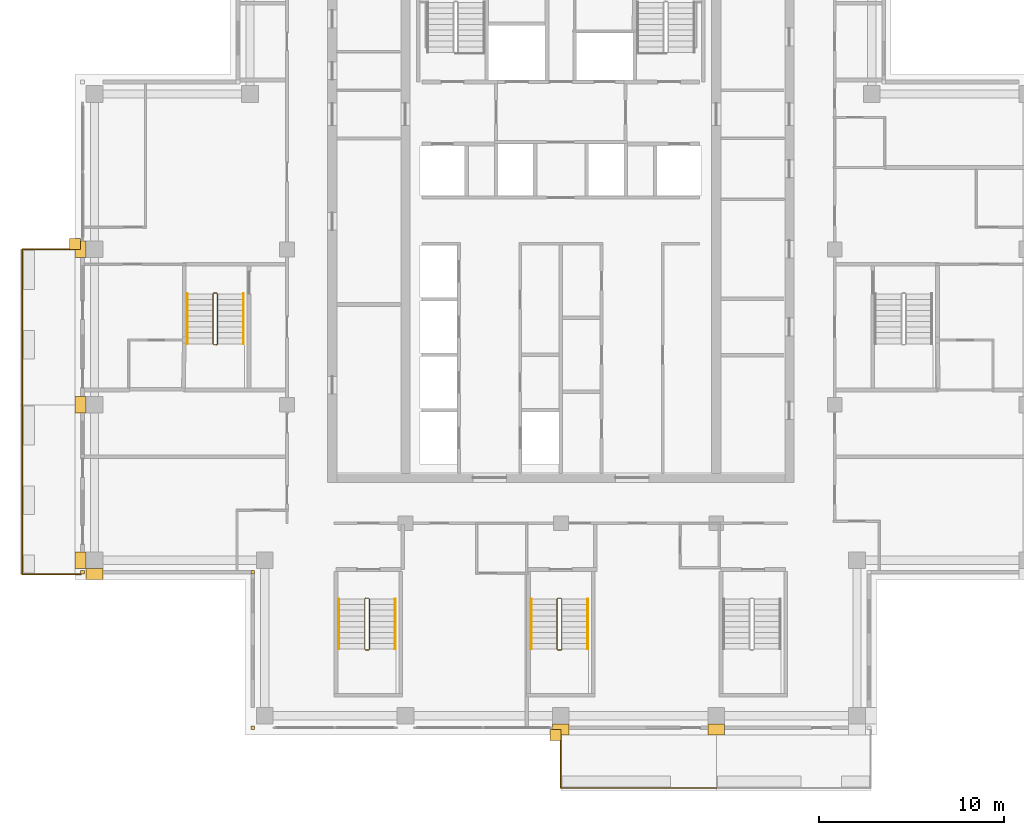
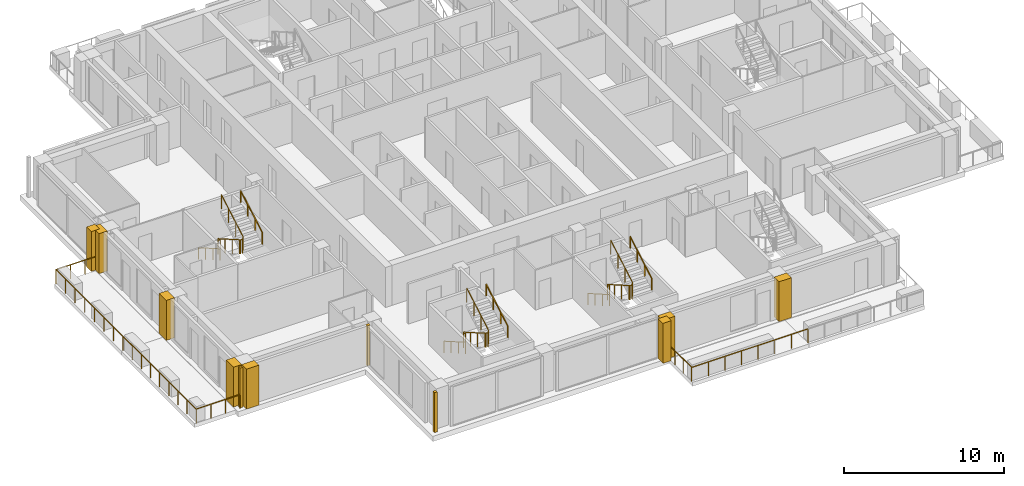
# One storey, part 15 of 17: 12 railings, 11 coverings.
"""IFC4 building model written with IfcOpenShell, lengths in metres."""

from ifc_helpers import new_model, si_unit, direction, frame, origin, origin_2d, place, context, subcontext, project, spatial, polyline, rectangle, outline, extrude, material, type_object, element, save


model = new_model("IFC4")

# Units and contexts
model_context = context("Model", 3, precision=1e-05, world=origin(), true_north=direction((0.0, 1.0)))
body_context = subcontext(model_context, "Body", "Model", "MODEL_VIEW")
ifc_project = project(units=[si_unit("LENGTHUNIT", "METRE"), si_unit("AREAUNIT", "SQUARE_METRE"), si_unit("VOLUMEUNIT", "CUBIC_METRE"), si_unit("PLANEANGLEUNIT", "RADIAN"), si_unit("MASSUNIT", "GRAM", prefix="KILO")], contexts=[model_context])

# Site, building, storey
site_placement = place(None, origin())
site = spatial("IfcSite", under=ifc_project, at=site_placement, CompositionType="ELEMENT")
building_placement = place(site_placement, origin())
building = spatial("IfcBuilding", under=site, at=building_placement, Name="Vermilion Ogive Tower", CompositionType="ELEMENT")
storey_placement = place(building_placement, frame((0.0, 0.0, 244.14990234375)))
storey = spatial("IfcBuildingStorey", under=building, at=storey_placement, Name="L64", CompositionType="ELEMENT", Elevation=244.14990234375)

# Railings
ifc_material_1 = material(Name="Stainless steel and glass", Category="steel")
railing_type_1 = type_object("IfcRailingType", Name="Balcony guard", PredefinedType="GUARDRAIL", material=ifc_material_1)
railing_1_placement = place(storey_placement, frame((0.0, -21.75, -0.039794921875)))
element("IfcRailing", 1, at=railing_1_placement, inside=storey, type_object=railing_type_1, Name="Guard S03", PredefinedType="GUARDRAIL", context=body_context, shape_type="SweptSolid", body=[
    extrude(rectangle(XDim=0.048095703125, YDim=0.048095703125, at=origin_2d()), frame((0.0, 0.0, 1.076171875), z_axis=(0.0, -1.0, 0.0), x_axis=(1.0, 0.0, 0.0)), (0.0, 0.0, 1.0), 3.159912109375),
    extrude(rectangle(XDim=0.048095703125, YDim=0.048095703125, at=origin_2d()), frame((0.0, -3.159912109375, 1.076171875), z_axis=(1.0, 0.0, 0.0), x_axis=(0.0, 1.0, 0.0)), (0.0, 0.0, 1.0), 8.39990234375),
    extrude(rectangle(XDim=0.0419921875, YDim=0.0419921875, at=origin_2d()), origin(), (0.0, 0.0, 1.0), 1.052001953125),
    extrude(rectangle(XDim=0.0419921875, YDim=0.0419921875, at=origin_2d()), frame((0.0, -1.05322265625, 0.0)), (0.0, 0.0, 1.0), 1.052001953125),
    extrude(rectangle(XDim=0.0419921875, YDim=0.0419921875, at=origin_2d()), frame((0.0, -2.106689453125, 0.0)), (0.0, 0.0, 1.0), 1.052001953125),
    extrude(rectangle(XDim=0.0419921875, YDim=0.0419921875, at=origin_2d()), frame((0.0, -3.159912109375, 0.0)), (0.0, 0.0, 1.0), 1.052001953125),
    extrude(rectangle(XDim=0.0419921875, YDim=0.0419921875, at=origin_2d()), frame((1.199951171875, -3.159912109375, 0.0)), (0.0, 0.0, 1.0), 1.052001953125),
    extrude(rectangle(XDim=0.0419921875, YDim=0.0419921875, at=origin_2d()), frame((2.39990234375, -3.159912109375, 0.0)), (0.0, 0.0, 1.0), 1.052001953125),
    extrude(rectangle(XDim=0.0419921875, YDim=0.0419921875, at=origin_2d()), frame((3.599853515625, -3.159912109375, 0.0)), (0.0, 0.0, 1.0), 1.052001953125),
    extrude(rectangle(XDim=0.0419921875, YDim=0.0419921875, at=origin_2d()), frame((4.800048828125, -3.159912109375, 0.0)), (0.0, 0.0, 1.0), 1.052001953125),
    extrude(rectangle(XDim=0.0419921875, YDim=0.0419921875, at=origin_2d()), frame((6.0, -3.159912109375, 0.0)), (0.0, 0.0, 1.0), 1.052001953125),
    extrude(rectangle(XDim=0.0419921875, YDim=0.0419921875, at=origin_2d()), frame((7.199951171875, -3.159912109375, 0.0)), (0.0, 0.0, 1.0), 1.052001953125),
    extrude(rectangle(XDim=0.0419921875, YDim=0.0419921875, at=origin_2d()), frame((8.39990234375, -3.159912109375, 0.0)), (0.0, 0.0, 1.0), 1.052001953125),
])
railing_2_placement = place(storey_placement, frame((-25.949951171875, 4.199951171875, -0.039794921875)))
element("IfcRailing", 2, at=railing_2_placement, inside=storey, type_object=railing_type_1, Name="Guard W02", PredefinedType="GUARDRAIL", context=body_context, shape_type="SweptSolid", body=[
    extrude(rectangle(XDim=0.048095703125, YDim=0.048095703125, at=origin_2d()), frame((0.0, 0.0, 1.076171875), z_axis=(-1.0, 0.0, 0.0), x_axis=(0.0, -1.0, 0.0)), (0.0, 0.0, 1.0), 3.16015625),
    extrude(rectangle(XDim=0.048095703125, YDim=0.048095703125, at=origin_2d()), frame((-3.16015625, 0.0, 1.076171875), z_axis=(0.0, -1.0, 0.0), x_axis=(1.0, 0.0, 0.0)), (0.0, 0.0, 1.0), 8.39990234375),
    extrude(rectangle(XDim=0.0419921875, YDim=0.0419921875, at=origin_2d()), origin(), (0.0, 0.0, 1.0), 1.052001953125),
    extrude(rectangle(XDim=0.0419921875, YDim=0.0419921875, at=origin_2d()), frame((-1.053466796875, 0.0, 0.0)), (0.0, 0.0, 1.0), 1.052001953125),
    extrude(rectangle(XDim=0.0419921875, YDim=0.0419921875, at=origin_2d()), frame((-2.106689453125, 0.0, 0.0)), (0.0, 0.0, 1.0), 1.052001953125),
    extrude(rectangle(XDim=0.0419921875, YDim=0.0419921875, at=origin_2d()), frame((-3.16015625, 0.0, 0.0)), (0.0, 0.0, 1.0), 1.052001953125),
    extrude(rectangle(XDim=0.0419921875, YDim=0.0419921875, at=origin_2d()), frame((-3.16015625, -1.199951171875, 0.0)), (0.0, 0.0, 1.0), 1.052001953125),
    extrude(rectangle(XDim=0.0419921875, YDim=0.0419921875, at=origin_2d()), frame((-3.16015625, -2.39990234375, 0.0)), (0.0, 0.0, 1.0), 1.052001953125),
    extrude(rectangle(XDim=0.0419921875, YDim=0.0419921875, at=origin_2d()), frame((-3.16015625, -3.599853515625, 0.0)), (0.0, 0.0, 1.0), 1.052001953125),
    extrude(rectangle(XDim=0.0419921875, YDim=0.0419921875, at=origin_2d()), frame((-3.16015625, -4.800048828125, 0.0)), (0.0, 0.0, 1.0), 1.052001953125),
    extrude(rectangle(XDim=0.0419921875, YDim=0.0419921875, at=origin_2d()), frame((-3.16015625, -6.0, 0.0)), (0.0, 0.0, 1.0), 1.052001953125),
    extrude(rectangle(XDim=0.0419921875, YDim=0.0419921875, at=origin_2d()), frame((-3.16015625, -7.199951171875, 0.0)), (0.0, 0.0, 1.0), 1.052001953125),
    extrude(rectangle(XDim=0.0419921875, YDim=0.0419921875, at=origin_2d()), frame((-3.16015625, -8.39990234375, 0.0)), (0.0, 0.0, 1.0), 1.052001953125),
])
railing_3_placement = place(storey_placement, frame((-29.110107421875, -4.199951171875, -0.039794921875)))
element("IfcRailing", 3, at=railing_3_placement, inside=storey, type_object=railing_type_1, Name="Guard W03", PredefinedType="GUARDRAIL", context=body_context, shape_type="SweptSolid", body=[
    extrude(rectangle(XDim=0.048095703125, YDim=0.048095703125, at=origin_2d()), frame((0.0, 0.0, 1.076171875), z_axis=(0.0, -1.0, 0.0), x_axis=(1.0, 0.0, 0.0)), (0.0, 0.0, 1.0), 9.150146484375),
    extrude(rectangle(XDim=0.048095703125, YDim=0.048095703125, at=origin_2d()), frame((0.0, -9.150146484375, 1.076171875), z_axis=(1.0, 0.0, 0.0), x_axis=(0.0, 1.0, 0.0)), (0.0, 0.0, 1.0), 3.16015625),
    extrude(rectangle(XDim=0.0419921875, YDim=0.0419921875, at=origin_2d()), origin(), (0.0, 0.0, 1.0), 1.052001953125),
    extrude(rectangle(XDim=0.0419921875, YDim=0.0419921875, at=origin_2d()), frame((0.0, -1.143798828125, 0.0)), (0.0, 0.0, 1.0), 1.052001953125),
    extrude(rectangle(XDim=0.0419921875, YDim=0.0419921875, at=origin_2d()), frame((0.0, -2.28759765625, 0.0)), (0.0, 0.0, 1.0), 1.052001953125),
    extrude(rectangle(XDim=0.0419921875, YDim=0.0419921875, at=origin_2d()), frame((0.0, -3.431396484375, 0.0)), (0.0, 0.0, 1.0), 1.052001953125),
    extrude(rectangle(XDim=0.0419921875, YDim=0.0419921875, at=origin_2d()), frame((0.0, -4.5751953125, 0.0)), (0.0, 0.0, 1.0), 1.052001953125),
    extrude(rectangle(XDim=0.0419921875, YDim=0.0419921875, at=origin_2d()), frame((0.0, -5.71875, 0.0)), (0.0, 0.0, 1.0), 1.052001953125),
    extrude(rectangle(XDim=0.0419921875, YDim=0.0419921875, at=origin_2d()), frame((0.0, -6.862548828125, 0.0)), (0.0, 0.0, 1.0), 1.052001953125),
    extrude(rectangle(XDim=0.0419921875, YDim=0.0419921875, at=origin_2d()), frame((0.0, -8.00634765625, 0.0)), (0.0, 0.0, 1.0), 1.052001953125),
    extrude(rectangle(XDim=0.0419921875, YDim=0.0419921875, at=origin_2d()), frame((0.0, -9.150146484375, 0.0)), (0.0, 0.0, 1.0), 1.052001953125),
    extrude(rectangle(XDim=0.0419921875, YDim=0.0419921875, at=origin_2d()), frame((1.053466796875, -9.150146484375, 0.0)), (0.0, 0.0, 1.0), 1.052001953125),
    extrude(rectangle(XDim=0.0419921875, YDim=0.0419921875, at=origin_2d()), frame((2.106689453125, -9.150146484375, 0.0)), (0.0, 0.0, 1.0), 1.052001953125),
    extrude(rectangle(XDim=0.0419921875, YDim=0.0419921875, at=origin_2d()), frame((3.16015625, -9.150146484375, 0.0)), (0.0, 0.0, 1.0), 1.052001953125),
])
ifc_material_2 = material(Name="Steel S355 painted", Category="steel")
railing_type_2 = type_object("IfcRailingType", Name="Stair guard 1100", PredefinedType="GUARDRAIL", material=ifc_material_2)
railing_4_placement = place(storey_placement, frame((-10.39990234375, -14.64990234375, 0.0)))
element("IfcRailing", 4, at=railing_4_placement, inside=storey, type_object=railing_type_2, Name="L64 ST3 stair guard 4", PredefinedType="GUARDRAIL", context=body_context, shape_type="SweptSolid", body=[
    extrude(rectangle(XDim=0.048095703125, YDim=0.048095703125, at=origin_2d()), frame((0.0, 0.0, 1.076171875), z_axis=(-1.0, 0.0, 0.0), x_axis=(0.0, -1.0, 0.0)), (0.0, 0.0, 1.0), 0.150146484375),
    extrude(rectangle(XDim=0.048095703125, YDim=0.048095703125, at=origin_2d()), frame((-0.150146484375, 0.0, 1.076171875), z_axis=(-0.268277960024, -0.268277960024, 0.925231793839), x_axis=(0.707106781187, -0.707106781187, 0.0)), (0.0, 0.0, 1.0), 0.1865234375),
    extrude(rectangle(XDim=0.048095703125, YDim=0.048095703125, at=origin_2d()), frame((-0.2001953125, -0.050048828125, 1.24853515625), z_axis=(0.0, -0.866903762492, 0.498475542607), x_axis=(1.0, 0.0, 0.0)), (0.0, 0.0, 1.0), 3.114501953125),
    extrude(rectangle(XDim=0.048095703125, YDim=0.048095703125, at=origin_2d()), frame((-0.2001953125, -2.75, 2.80126953125), z_axis=(0.707106781187, -0.707106781187, 0.0), x_axis=(0.707106781187, 0.707106781187, 0.0)), (0.0, 0.0, 1.0), 0.07080078125),
    extrude(rectangle(XDim=0.048095703125, YDim=0.048095703125, at=origin_2d()), frame((-0.150146484375, -2.800048828125, 2.80126953125), z_axis=(1.0, 0.0, 0.0), x_axis=(0.0, 1.0, 0.0)), (0.0, 0.0, 1.0), 0.150146484375),
    extrude(rectangle(XDim=0.048095703125, YDim=0.048095703125, at=origin_2d()), frame((0.0, -2.800048828125, 2.80126953125), z_axis=(0.267062837333, 0.268371968888, 0.925556009775), x_axis=(-0.708833529934, 0.705375805398, 0.0)), (0.0, 0.0, 1.0), 0.1865234375),
    extrude(rectangle(XDim=0.048095703125, YDim=0.048095703125, at=origin_2d()), frame((0.0498046875, -2.75, 2.9736328125), z_axis=(0.0, 0.866903762492, 0.498475542607), x_axis=(-1.0, 0.0, 0.0)), (0.0, 0.0, 1.0), 3.114501953125),
    extrude(rectangle(XDim=0.0419921875, YDim=0.0419921875, at=origin_2d()), origin(), (0.0, 0.0, 1.0), 1.052001953125),
    extrude(rectangle(XDim=0.0419921875, YDim=0.0419921875, at=origin_2d()), frame((-0.150146484375, 0.0, 0.0)), (0.0, 0.0, 1.0), 1.052001953125),
    extrude(rectangle(XDim=0.0419921875, YDim=0.0419921875, at=origin_2d()), frame((-0.2001953125, -0.050048828125, 0.172607421875)), (0.0, 0.0, 1.0), 1.052001953125),
    extrude(rectangle(XDim=0.0419921875, YDim=0.0419921875, at=origin_2d()), frame((-0.2001953125, -0.949951171875, 0.690185546875)), (0.0, 0.0, 1.0), 1.052001953125),
    extrude(rectangle(XDim=0.0419921875, YDim=0.0419921875, at=origin_2d()), frame((-0.2001953125, -1.85009765625, 1.20751953125)), (0.0, 0.0, 1.0), 1.052001953125),
    extrude(rectangle(XDim=0.0419921875, YDim=0.0419921875, at=origin_2d()), frame((-0.2001953125, -2.75, 1.72509765625)), (0.0, 0.0, 1.0), 1.052001953125),
    extrude(rectangle(XDim=0.0419921875, YDim=0.0419921875, at=origin_2d()), frame((-0.150146484375, -2.800048828125, 1.72509765625)), (0.0, 0.0, 1.0), 1.052001953125),
    extrude(rectangle(XDim=0.0419921875, YDim=0.0419921875, at=origin_2d()), frame((0.0, -2.800048828125, 1.72509765625)), (0.0, 0.0, 1.0), 1.052001953125),
    extrude(rectangle(XDim=0.0419921875, YDim=0.0419921875, at=origin_2d()), frame((0.0498046875, -2.75, 1.897705078125)), (0.0, 0.0, 1.0), 1.052001953125),
    extrude(rectangle(XDim=0.0419921875, YDim=0.0419921875, at=origin_2d()), frame((0.0498046875, -1.85009765625, 2.415283203125)), (0.0, 0.0, 1.0), 1.052001953125),
    extrude(rectangle(XDim=0.0419921875, YDim=0.0419921875, at=origin_2d()), frame((0.0498046875, -0.949951171875, 2.9326171875)), (0.0, 0.0, 1.0), 1.052001953125),
    extrude(rectangle(XDim=0.0419921875, YDim=0.0419921875, at=origin_2d()), frame((0.0498046875, -0.050048828125, 3.4501953125)), (0.0, 0.0, 1.0), 1.052001953125),
])
railing_5_placement = place(storey_placement, frame((0.0, -14.64990234375, 0.0)))
element("IfcRailing", 5, at=railing_5_placement, inside=storey, type_object=railing_type_2, Name="L64 ST4 stair guard 4", PredefinedType="GUARDRAIL", context=body_context, shape_type="SweptSolid", body=[
    extrude(rectangle(XDim=0.048095703125, YDim=0.048095703125, at=origin_2d()), frame((0.0, 0.0, 1.076171875), z_axis=(-1.0, 0.0, 0.0), x_axis=(0.0, -1.0, 0.0)), (0.0, 0.0, 1.0), 0.14990234375),
    extrude(rectangle(XDim=0.048095703125, YDim=0.048095703125, at=origin_2d()), frame((-0.14990234375, 0.0, 1.076171875), z_axis=(-0.268277960024, -0.268277960024, 0.925231793839), x_axis=(0.707106781187, -0.707106781187, 0.0)), (0.0, 0.0, 1.0), 0.1865234375),
    extrude(rectangle(XDim=0.048095703125, YDim=0.048095703125, at=origin_2d()), frame((-0.199951171875, -0.050048828125, 1.24853515625), z_axis=(0.0, -0.866903762492, 0.498475542607), x_axis=(1.0, 0.0, 0.0)), (0.0, 0.0, 1.0), 3.114501953125),
    extrude(rectangle(XDim=0.048095703125, YDim=0.048095703125, at=origin_2d()), frame((-0.199951171875, -2.75, 2.80126953125), z_axis=(0.707106781187, -0.707106781187, 0.0), x_axis=(0.707106781187, 0.707106781187, 0.0)), (0.0, 0.0, 1.0), 0.07080078125),
    extrude(rectangle(XDim=0.048095703125, YDim=0.048095703125, at=origin_2d()), frame((-0.14990234375, -2.800048828125, 2.80126953125), z_axis=(1.0, 0.0, 0.0), x_axis=(0.0, 1.0, 0.0)), (0.0, 0.0, 1.0), 0.14990234375),
    extrude(rectangle(XDim=0.048095703125, YDim=0.048095703125, at=origin_2d()), frame((0.0, -2.800048828125, 2.80126953125), z_axis=(0.268277960024, 0.268277960024, 0.925231793839), x_axis=(-0.707106781187, 0.707106781187, 0.0)), (0.0, 0.0, 1.0), 0.1865234375),
    extrude(rectangle(XDim=0.048095703125, YDim=0.048095703125, at=origin_2d()), frame((0.050048828125, -2.75, 2.9736328125), z_axis=(0.0, 0.866903762492, 0.498475542607), x_axis=(-1.0, 0.0, 0.0)), (0.0, 0.0, 1.0), 3.114501953125),
    extrude(rectangle(XDim=0.0419921875, YDim=0.0419921875, at=origin_2d()), origin(), (0.0, 0.0, 1.0), 1.052001953125),
    extrude(rectangle(XDim=0.0419921875, YDim=0.0419921875, at=origin_2d()), frame((-0.14990234375, 0.0, 0.0)), (0.0, 0.0, 1.0), 1.052001953125),
    extrude(rectangle(XDim=0.0419921875, YDim=0.0419921875, at=origin_2d()), frame((-0.199951171875, -0.050048828125, 0.172607421875)), (0.0, 0.0, 1.0), 1.052001953125),
    extrude(rectangle(XDim=0.0419921875, YDim=0.0419921875, at=origin_2d()), frame((-0.199951171875, -0.949951171875, 0.690185546875)), (0.0, 0.0, 1.0), 1.052001953125),
    extrude(rectangle(XDim=0.0419921875, YDim=0.0419921875, at=origin_2d()), frame((-0.199951171875, -1.85009765625, 1.20751953125)), (0.0, 0.0, 1.0), 1.052001953125),
    extrude(rectangle(XDim=0.0419921875, YDim=0.0419921875, at=origin_2d()), frame((-0.199951171875, -2.75, 1.72509765625)), (0.0, 0.0, 1.0), 1.052001953125),
    extrude(rectangle(XDim=0.0419921875, YDim=0.0419921875, at=origin_2d()), frame((-0.14990234375, -2.800048828125, 1.72509765625)), (0.0, 0.0, 1.0), 1.052001953125),
    extrude(rectangle(XDim=0.0419921875, YDim=0.0419921875, at=origin_2d()), frame((0.0, -2.800048828125, 1.72509765625)), (0.0, 0.0, 1.0), 1.052001953125),
    extrude(rectangle(XDim=0.0419921875, YDim=0.0419921875, at=origin_2d()), frame((0.050048828125, -2.75, 1.897705078125)), (0.0, 0.0, 1.0), 1.052001953125),
    extrude(rectangle(XDim=0.0419921875, YDim=0.0419921875, at=origin_2d()), frame((0.050048828125, -1.85009765625, 2.415283203125)), (0.0, 0.0, 1.0), 1.052001953125),
    extrude(rectangle(XDim=0.0419921875, YDim=0.0419921875, at=origin_2d()), frame((0.050048828125, -0.949951171875, 2.9326171875)), (0.0, 0.0, 1.0), 1.052001953125),
    extrude(rectangle(XDim=0.0419921875, YDim=0.0419921875, at=origin_2d()), frame((0.050048828125, -0.050048828125, 3.4501953125)), (0.0, 0.0, 1.0), 1.052001953125),
])
railing_6_placement = place(storey_placement, frame((-18.60009765625, 1.85009765625, 0.0)))
element("IfcRailing", 6, at=railing_6_placement, inside=storey, type_object=railing_type_2, Name="L64 ST9 stair guard 4", PredefinedType="GUARDRAIL", context=body_context, shape_type="SweptSolid", body=[
    extrude(rectangle(XDim=0.048095703125, YDim=0.048095703125, at=origin_2d()), frame((0.0, 0.0, 1.076171875), z_axis=(-1.0, 0.0, 0.0), x_axis=(0.0, -1.0, 0.0)), (0.0, 0.0, 1.0), 0.14990234375),
    extrude(rectangle(XDim=0.048095703125, YDim=0.048095703125, at=origin_2d()), frame((-0.14990234375, 0.0, 1.076171875), z_axis=(-0.268277960024, -0.268277960024, 0.925231793839), x_axis=(0.707106781187, -0.707106781187, 0.0)), (0.0, 0.0, 1.0), 0.1865234375),
    extrude(rectangle(XDim=0.048095703125, YDim=0.048095703125, at=origin_2d()), frame((-0.199951171875, -0.050048828125, 1.24853515625), z_axis=(0.0, -0.866903762492, 0.498475542607), x_axis=(1.0, 0.0, 0.0)), (0.0, 0.0, 1.0), 3.114501953125),
    extrude(rectangle(XDim=0.048095703125, YDim=0.048095703125, at=origin_2d()), frame((-0.199951171875, -2.75, 2.80126953125), z_axis=(0.707106781187, -0.707106781187, 0.0), x_axis=(0.707106781187, 0.707106781187, 0.0)), (0.0, 0.0, 1.0), 0.07080078125),
    extrude(rectangle(XDim=0.048095703125, YDim=0.048095703125, at=origin_2d()), frame((-0.14990234375, -2.800048828125, 2.80126953125), z_axis=(1.0, 0.0, 0.0), x_axis=(0.0, 1.0, 0.0)), (0.0, 0.0, 1.0), 0.14990234375),
    extrude(rectangle(XDim=0.048095703125, YDim=0.048095703125, at=origin_2d()), frame((0.0, -2.800048828125, 2.80126953125), z_axis=(0.268277960024, 0.268277960024, 0.925231793839), x_axis=(-0.707106781187, 0.707106781187, 0.0)), (0.0, 0.0, 1.0), 0.1865234375),
    extrude(rectangle(XDim=0.048095703125, YDim=0.048095703125, at=origin_2d()), frame((0.050048828125, -2.75, 2.9736328125), z_axis=(0.0, 0.866903762492, 0.498475542607), x_axis=(-1.0, 0.0, 0.0)), (0.0, 0.0, 1.0), 3.114501953125),
    extrude(rectangle(XDim=0.0419921875, YDim=0.0419921875, at=origin_2d()), origin(), (0.0, 0.0, 1.0), 1.052001953125),
    extrude(rectangle(XDim=0.0419921875, YDim=0.0419921875, at=origin_2d()), frame((-0.14990234375, 0.0, 0.0)), (0.0, 0.0, 1.0), 1.052001953125),
    extrude(rectangle(XDim=0.0419921875, YDim=0.0419921875, at=origin_2d()), frame((-0.199951171875, -0.050048828125, 0.172607421875)), (0.0, 0.0, 1.0), 1.052001953125),
    extrude(rectangle(XDim=0.0419921875, YDim=0.0419921875, at=origin_2d()), frame((-0.199951171875, -0.949951171875, 0.690185546875)), (0.0, 0.0, 1.0), 1.052001953125),
    extrude(rectangle(XDim=0.0419921875, YDim=0.0419921875, at=origin_2d()), frame((-0.199951171875, -1.85009765625, 1.20751953125)), (0.0, 0.0, 1.0), 1.052001953125),
    extrude(rectangle(XDim=0.0419921875, YDim=0.0419921875, at=origin_2d()), frame((-0.199951171875, -2.75, 1.72509765625)), (0.0, 0.0, 1.0), 1.052001953125),
    extrude(rectangle(XDim=0.0419921875, YDim=0.0419921875, at=origin_2d()), frame((-0.14990234375, -2.800048828125, 1.72509765625)), (0.0, 0.0, 1.0), 1.052001953125),
    extrude(rectangle(XDim=0.0419921875, YDim=0.0419921875, at=origin_2d()), frame((0.0, -2.800048828125, 1.72509765625)), (0.0, 0.0, 1.0), 1.052001953125),
    extrude(rectangle(XDim=0.0419921875, YDim=0.0419921875, at=origin_2d()), frame((0.050048828125, -2.75, 1.897705078125)), (0.0, 0.0, 1.0), 1.052001953125),
    extrude(rectangle(XDim=0.0419921875, YDim=0.0419921875, at=origin_2d()), frame((0.050048828125, -1.85009765625, 2.415283203125)), (0.0, 0.0, 1.0), 1.052001953125),
    extrude(rectangle(XDim=0.0419921875, YDim=0.0419921875, at=origin_2d()), frame((0.050048828125, -0.949951171875, 2.9326171875)), (0.0, 0.0, 1.0), 1.052001953125),
    extrude(rectangle(XDim=0.0419921875, YDim=0.0419921875, at=origin_2d()), frame((0.050048828125, -0.050048828125, 3.4501953125)), (0.0, 0.0, 1.0), 1.052001953125),
])
ifc_material_3 = material(Name="Stainless steel", Category="steel")
railing_type_3 = type_object("IfcRailingType", Name="Stair handrail 900", PredefinedType="HANDRAIL", material=ifc_material_3)
railing_7_placement = place(storey_placement, frame((-12.0, -14.699951171875, 0.172607421875)))
element("IfcRailing", 7, at=railing_7_placement, inside=storey, type_object=railing_type_3, Name="L64 ST3 stair handrail 1", PredefinedType="HANDRAIL", context=body_context, shape_type="SweptSolid", body=[
    extrude(rectangle(XDim=0.048095703125, YDim=0.048095703125, at=origin_2d()), frame((0.0, 0.0, 0.8759765625), z_axis=(0.0, -0.866903762492, 0.498475542607), x_axis=(1.0, 0.0, 0.0)), (0.0, 0.0, 1.0), 3.114501953125),
    extrude(rectangle(XDim=0.0419921875, YDim=0.0419921875, at=origin_2d()), origin(), (0.0, 0.0, 1.0), 0.851806640625),
    extrude(rectangle(XDim=0.0419921875, YDim=0.0419921875, at=origin_2d()), frame((0.0, -0.89990234375, 0.517578125)), (0.0, 0.0, 1.0), 0.851806640625),
    extrude(rectangle(XDim=0.0419921875, YDim=0.0419921875, at=origin_2d()), frame((0.0, -1.800048828125, 1.034912109375)), (0.0, 0.0, 1.0), 0.851806640625),
    extrude(rectangle(XDim=0.0419921875, YDim=0.0419921875, at=origin_2d()), frame((0.0, -2.699951171875, 1.552490234375)), (0.0, 0.0, 1.0), 0.851806640625),
])
railing_8_placement = place(storey_placement, frame((-8.949951171875, -17.39990234375, 1.897705078125)))
element("IfcRailing", 8, at=railing_8_placement, inside=storey, type_object=railing_type_3, Name="L64 ST3 stair handrail 2", PredefinedType="HANDRAIL", context=body_context, shape_type="SweptSolid", body=[
    extrude(rectangle(XDim=0.048095703125, YDim=0.048095703125, at=origin_2d()), frame((0.0, 0.0, 0.8759765625), z_axis=(0.0, 0.866903762492, 0.498475542607), x_axis=(-1.0, 0.0, 0.0)), (0.0, 0.0, 1.0), 3.114501953125),
    extrude(rectangle(XDim=0.0419921875, YDim=0.0419921875, at=origin_2d()), origin(), (0.0, 0.0, 1.0), 0.851806640625),
    extrude(rectangle(XDim=0.0419921875, YDim=0.0419921875, at=origin_2d()), frame((0.0, 0.89990234375, 0.517578125)), (0.0, 0.0, 1.0), 0.851806640625),
    extrude(rectangle(XDim=0.0419921875, YDim=0.0419921875, at=origin_2d()), frame((0.0, 1.800048828125, 1.034912109375)), (0.0, 0.0, 1.0), 0.851806640625),
    extrude(rectangle(XDim=0.0419921875, YDim=0.0419921875, at=origin_2d()), frame((0.0, 2.699951171875, 1.552490234375)), (0.0, 0.0, 1.0), 0.851806640625),
])
railing_9_placement = place(storey_placement, frame((-1.60009765625, -14.699951171875, 0.172607421875)))
element("IfcRailing", 9, at=railing_9_placement, inside=storey, type_object=railing_type_3, Name="L64 ST4 stair handrail 1", PredefinedType="HANDRAIL", context=body_context, shape_type="SweptSolid", body=[
    extrude(rectangle(XDim=0.048095703125, YDim=0.048095703125, at=origin_2d()), frame((0.0, 0.0, 0.8759765625), z_axis=(0.0, -0.866903762492, 0.498475542607), x_axis=(1.0, 0.0, 0.0)), (0.0, 0.0, 1.0), 3.114501953125),
    extrude(rectangle(XDim=0.0419921875, YDim=0.0419921875, at=origin_2d()), origin(), (0.0, 0.0, 1.0), 0.851806640625),
    extrude(rectangle(XDim=0.0419921875, YDim=0.0419921875, at=origin_2d()), frame((0.0, -0.89990234375, 0.517578125)), (0.0, 0.0, 1.0), 0.851806640625),
    extrude(rectangle(XDim=0.0419921875, YDim=0.0419921875, at=origin_2d()), frame((0.0, -1.800048828125, 1.034912109375)), (0.0, 0.0, 1.0), 0.851806640625),
    extrude(rectangle(XDim=0.0419921875, YDim=0.0419921875, at=origin_2d()), frame((0.0, -2.699951171875, 1.552490234375)), (0.0, 0.0, 1.0), 0.851806640625),
])
railing_10_placement = place(storey_placement, frame((1.449951171875, -17.39990234375, 1.897705078125)))
element("IfcRailing", 10, at=railing_10_placement, inside=storey, type_object=railing_type_3, Name="L64 ST4 stair handrail 2", PredefinedType="HANDRAIL", context=body_context, shape_type="SweptSolid", body=[
    extrude(rectangle(XDim=0.048095703125, YDim=0.048095703125, at=origin_2d()), frame((0.0, 0.0, 0.8759765625), z_axis=(0.0, 0.866903762492, 0.498475542607), x_axis=(-1.0, 0.0, 0.0)), (0.0, 0.0, 1.0), 3.114501953125),
    extrude(rectangle(XDim=0.0419921875, YDim=0.0419921875, at=origin_2d()), origin(), (0.0, 0.0, 1.0), 0.851806640625),
    extrude(rectangle(XDim=0.0419921875, YDim=0.0419921875, at=origin_2d()), frame((0.0, 0.89990234375, 0.517578125)), (0.0, 0.0, 1.0), 0.851806640625),
    extrude(rectangle(XDim=0.0419921875, YDim=0.0419921875, at=origin_2d()), frame((0.0, 1.800048828125, 1.034912109375)), (0.0, 0.0, 1.0), 0.851806640625),
    extrude(rectangle(XDim=0.0419921875, YDim=0.0419921875, at=origin_2d()), frame((0.0, 2.699951171875, 1.552490234375)), (0.0, 0.0, 1.0), 0.851806640625),
])
railing_11_placement = place(storey_placement, frame((-20.199951171875, 1.800048828125, 0.172607421875)))
element("IfcRailing", 11, at=railing_11_placement, inside=storey, type_object=railing_type_3, Name="L64 ST9 stair handrail 1", PredefinedType="HANDRAIL", context=body_context, shape_type="SweptSolid", body=[
    extrude(rectangle(XDim=0.048095703125, YDim=0.048095703125, at=origin_2d()), frame((0.0, 0.0, 0.8759765625), z_axis=(0.0, -0.866903762492, 0.498475542607), x_axis=(1.0, 0.0, 0.0)), (0.0, 0.0, 1.0), 3.114501953125),
    extrude(rectangle(XDim=0.0419921875, YDim=0.0419921875, at=origin_2d()), origin(), (0.0, 0.0, 1.0), 0.851806640625),
    extrude(rectangle(XDim=0.0419921875, YDim=0.0419921875, at=origin_2d()), frame((0.0, -0.89990234375, 0.517578125)), (0.0, 0.0, 1.0), 0.851806640625),
    extrude(rectangle(XDim=0.0419921875, YDim=0.0419921875, at=origin_2d()), frame((0.0, -1.800048828125, 1.034912109375)), (0.0, 0.0, 1.0), 0.851806640625),
    extrude(rectangle(XDim=0.0419921875, YDim=0.0419921875, at=origin_2d()), frame((0.0, -2.699951171875, 1.552490234375)), (0.0, 0.0, 1.0), 0.851806640625),
])
railing_12_placement = place(storey_placement, frame((-17.14990234375, -0.89990234375, 1.897705078125)))
element("IfcRailing", 12, at=railing_12_placement, inside=storey, type_object=railing_type_3, Name="L64 ST9 stair handrail 2", PredefinedType="HANDRAIL", context=body_context, shape_type="SweptSolid", body=[
    extrude(rectangle(XDim=0.048095703125, YDim=0.048095703125, at=origin_2d()), frame((0.0, 0.0, 0.8759765625), z_axis=(0.0, 0.866903762492, 0.498475542607), x_axis=(-1.0, 0.0, 0.0)), (0.0, 0.0, 1.0), 3.114501953125),
    extrude(rectangle(XDim=0.0419921875, YDim=0.0419921875, at=origin_2d()), origin(), (0.0, 0.0, 1.0), 0.851806640625),
    extrude(rectangle(XDim=0.0419921875, YDim=0.0419921875, at=origin_2d()), frame((0.0, 0.89990234375, 0.517578125)), (0.0, 0.0, 1.0), 0.851806640625),
    extrude(rectangle(XDim=0.0419921875, YDim=0.0419921875, at=origin_2d()), frame((0.0, 1.800048828125, 1.034912109375)), (0.0, 0.0, 1.0), 0.851806640625),
    extrude(rectangle(XDim=0.0419921875, YDim=0.0419921875, at=origin_2d()), frame((0.0, 2.699951171875, 1.552490234375)), (0.0, 0.0, 1.0), 0.851806640625),
])

# Coverings
ifc_material_4 = material(Name="Stone cladding", Category="masonry")
covering_type_1 = type_object("IfcCoveringType", Name="Stone corner buttress", PredefinedType="CLADDING", material=ifc_material_4)
covering_1_placement = place(storey_placement, origin())
element("IfcCovering", 13, at=covering_1_placement, inside=storey, type_object=covering_type_1, Name="Stone crease pier SK", PredefinedType="CLADDING", context=body_context, shape_type="SweptSolid", body=[
    extrude(outline(polyline([(-0.60009765625, -22.35009765625), (0.0, -22.35009765625), (0.0, -21.75), (-0.60009765625, -21.75), (-0.60009765625, -22.35009765625)])), origin(), (0.0, 0.0, 1.0), 3.050048828125),
])
covering_2_placement = place(storey_placement, origin())
element("IfcCovering", 14, at=covering_2_placement, inside=storey, type_object=covering_type_1, Name="Stone crease pier WK", PredefinedType="CLADDING", context=body_context, shape_type="SweptSolid", body=[
    extrude(outline(polyline([(-26.550048828125, 4.800048828125), (-26.550048828125, 4.199951171875), (-25.949951171875, 4.199951171875), (-25.949951171875, 4.800048828125), (-26.550048828125, 4.800048828125)])), origin(), (0.0, 0.0, 1.0), 3.050048828125),
])
ifc_material_5 = material(Name="Stone cladding", Category="masonry")
covering_type_2 = type_object("IfcCoveringType", Name="Stone pier", PredefinedType="CLADDING", material=ifc_material_5)
covering_3_placement = place(storey_placement, origin())
element("IfcCovering", 15, at=covering_3_placement, inside=storey, type_object=covering_type_2, Name="Stone corner pier WE1", PredefinedType="CLADDING", context=body_context, shape_type="SweptSolid", body=[
    extrude(outline(polyline([(-25.75, -13.14990234375), (-25.75, -13.35009765625), (-25.949951171875, -13.35009765625), (-25.949951171875, -13.14990234375), (-25.75, -13.14990234375)])), origin(), (0.0, 0.0, 1.0), 3.050048828125),
])
covering_4_placement = place(storey_placement, origin())
element("IfcCovering", 16, at=covering_4_placement, inside=storey, type_object=covering_type_2, Name="Stone corner pier X7E1", PredefinedType="CLADDING", context=body_context, shape_type="SweptSolid", body=[
    extrude(outline(polyline([(-16.550048828125, -13.14990234375), (-16.550048828125, -13.35009765625), (-16.75, -13.35009765625), (-16.75, -13.14990234375), (-16.550048828125, -13.14990234375)])), origin(), (0.0, 0.0, 1.0), 3.050048828125),
])
covering_5_placement = place(storey_placement, origin())
element("IfcCovering", 17, at=covering_5_placement, inside=storey, type_object=covering_type_2, Name="Stone corner pier X8E1", PredefinedType="CLADDING", context=body_context, shape_type="SweptSolid", body=[
    extrude(outline(polyline([(-16.550048828125, -21.550048828125), (-16.550048828125, -21.75), (-16.75, -21.75), (-16.75, -21.550048828125), (-16.550048828125, -21.550048828125)])), origin(), (0.0, 0.0, 1.0), 3.050048828125),
])
covering_6_placement = place(storey_placement, origin())
element("IfcCovering", 18, at=covering_6_placement, inside=storey, type_object=covering_type_2, Name="Stone pier P+0000-210", PredefinedType="CLADDING", context=body_context, shape_type="SweptSolid", body=[
    extrude(outline(polyline([(0.449951171875, -22.050048828125), (0.0, -22.050048828125), (0.0, -21.75), (-0.449951171875, -21.75), (-0.449951171875, -21.449951171875), (0.449951171875, -21.449951171875), (0.449951171875, -22.050048828125)])), origin(), (0.0, 0.0, 1.0), 3.050048828125),
])
covering_7_placement = place(storey_placement, origin())
element("IfcCovering", 19, at=covering_7_placement, inside=storey, type_object=covering_type_2, Name="Stone pier P+0084-210", PredefinedType="CLADDING", context=body_context, shape_type="SweptSolid", body=[
    extrude(outline(polyline([(8.85009765625, -21.449951171875), (8.85009765625, -22.050048828125), (7.949951171875, -22.050048828125), (7.949951171875, -21.449951171875), (7.949951171875, -21.449951171875), (8.85009765625, -21.449951171875)])), origin(), (0.0, 0.0, 1.0), 3.050048828125),
])
covering_8_placement = place(storey_placement, origin())
element("IfcCovering", 20, at=covering_8_placement, inside=storey, type_object=covering_type_2, Name="Stone pier P-0252+042", PredefinedType="CLADDING", context=body_context, shape_type="SweptSolid", body=[
    extrude(outline(polyline([(-26.25, 3.75), (-26.25, 4.199951171875), (-25.949951171875, 4.199951171875), (-25.949951171875, 4.64990234375), (-25.64990234375, 4.64990234375), (-25.64990234375, 3.75), (-26.25, 3.75)])), origin(), (0.0, 0.0, 1.0), 3.050048828125),
])
covering_9_placement = place(storey_placement, origin())
element("IfcCovering", 21, at=covering_9_placement, inside=storey, type_object=covering_type_2, Name="Stone pier P-0252-042", PredefinedType="CLADDING", context=body_context, shape_type="SweptSolid", body=[
    extrude(outline(polyline([(-26.25, -4.64990234375), (-26.25, -3.75), (-25.64990234375, -3.75), (-25.64990234375, -4.64990234375), (-26.25, -4.64990234375)])), origin(), (0.0, 0.0, 1.0), 3.050048828125),
])
covering_10_placement = place(storey_placement, origin())
element("IfcCovering", 22, at=covering_10_placement, inside=storey, type_object=covering_type_2, Name="Stone pier P-0252-126W", PredefinedType="CLADDING", context=body_context, shape_type="SweptSolid", body=[
    extrude(outline(polyline([(-26.25, -13.050048828125), (-26.25, -12.14990234375), (-25.64990234375, -12.14990234375), (-25.64990234375, -13.050048828125), (-26.25, -13.050048828125)])), origin(), (0.0, 0.0, 1.0), 3.050048828125),
])
covering_11_placement = place(storey_placement, origin())
element("IfcCovering", 23, at=covering_11_placement, inside=storey, type_object=covering_type_2, Name="Stone pier P-0252-126X7", PredefinedType="CLADDING", context=body_context, shape_type="SweptSolid", body=[
    extrude(outline(polyline([(-25.64990234375, -13.64990234375), (-25.64990234375, -13.050048828125), (-24.75, -13.050048828125), (-24.75, -13.64990234375), (-25.64990234375, -13.64990234375)])), origin(), (0.0, 0.0, 1.0), 3.050048828125),
])

save(model, "model.ifc")
